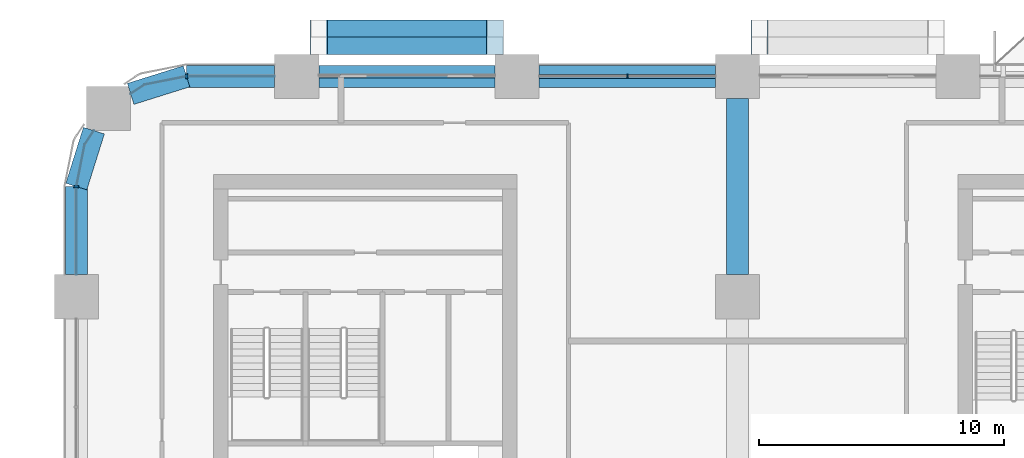
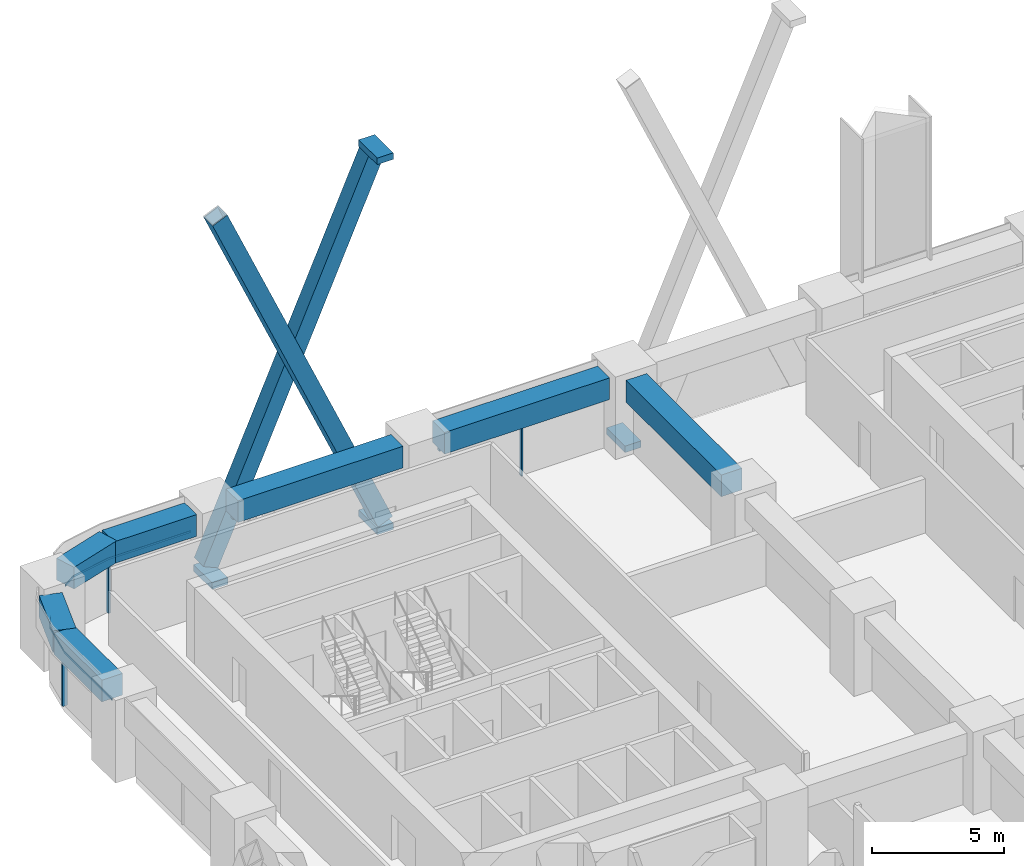
# One storey, part 8 of 24: 13 members, 7 beams, 4 elements without a shape of their own.
"""IFC4 building model written with IfcOpenShell, lengths in metres."""

from ifc_helpers import new_model, si_unit, direction, frame, origin, origin_2d, place, context, subcontext, project, spatial, polyline, rectangle, hollow_rectangle, outline, extrude, material, layer, layer_set, material_profile, profile_set, type_object, element, aggregate, save


model = new_model("IFC4")

# Units and contexts
model_context = context("Model", 3, precision=1e-05, world=origin(), true_north=direction((0.0, 1.0)))
body_context = subcontext(model_context, "Body", "Model", "MODEL_VIEW")
ifc_project = project(units=[si_unit("LENGTHUNIT", "METRE"), si_unit("AREAUNIT", "SQUARE_METRE"), si_unit("VOLUMEUNIT", "CUBIC_METRE"), si_unit("PLANEANGLEUNIT", "RADIAN"), si_unit("MASSUNIT", "GRAM", prefix="KILO")], contexts=[model_context])

# Site, building, storey
site_placement = place(None, origin())
site = spatial("IfcSite", under=ifc_project, at=site_placement, CompositionType="ELEMENT")
building_placement = place(site_placement, origin())
building = spatial("IfcBuilding", under=site, at=building_placement, Name="Tessera Arch", CompositionType="ELEMENT")
storey_placement = place(building_placement, frame((0.0, 0.0, 61.39990234375)))
storey = spatial("IfcBuildingStorey", under=building, at=storey_placement, Name="L13", CompositionType="ELEMENT", Elevation=61.39990234375)

# Members
ifc_material_1 = material(Name="Steel A572 Gr50", Category="steel")
ifc_material_profile_1 = material_profile(ifc_material_1, hollow_rectangle(XDim=0.699951171875, YDim=0.699951171875, WallThickness=0.050048828125, at=origin_2d()), Name="BOX 700x700x50")
ifc_profile_set_1 = profile_set([ifc_material_profile_1], Name="Steel A572 Gr50")
member_type_1 = type_object("IfcMemberType", Name="Brace BOX 700x700x50 Steel A572 Gr50", PredefinedType="BRACE", material=ifc_profile_set_1)
for number, where, z_axis, x_axis, name in (
    (1, (17.10009765625, 55.25, -0.7998046875), (-0.402001211434, 0.0, 0.915639135252), (0.0, -1.0, 0.0), "Brace N54.0-4 A L13-L16"),
    (2, (9.89990234375, 55.949951171875, -0.7998046875), (0.402001211434, 0.0, 0.915639135252), (0.0, 1.0, 0.0), "Brace N54.0-4 B L13-L16"),
):
    element("IfcMember", number, at=place(storey_placement, frame(where, z_axis=z_axis, x_axis=x_axis)), inside=storey, type_object=member_type_1, Name=name, PredefinedType="BRACE", context=body_context, shape_type="SweptSolid", body=[
        extrude(hollow_rectangle(XDim=0.699951171875, YDim=0.699951171875, WallThickness=0.050048828125, at=origin_2d()), origin(), (0.0, 0.0, 1.0), 17.910888671875),
    ])

# Curtain wall, members
ifc_material_2 = material(Name="CW1 curtain wall")
curtain_wall_type_1 = type_object("IfcCurtainWallType", Name="CW1 curtain wall", PredefinedType="NOTDEFINED", material=ifc_material_2)
curtain_wall_1_placement = place(storey_placement, origin())
curtain_wall_1 = element("IfcCurtainWall", 3, at=curtain_wall_1_placement, inside=storey, type_object=curtain_wall_type_1, Name="CW1 curtain wall N54.0/3 L13", PredefinedType="NOTDEFINED")
ifc_material_3 = material(Name="Anodised aluminium pale metal", Category="aluminium")
ifc_material_profile_2 = material_profile(ifc_material_3, rectangle(XDim=0.159912109375, YDim=0.06005859375, at=origin_2d()), Name="AL 60x160")
ifc_profile_set_2 = profile_set([ifc_material_profile_2], Name="Anodised aluminium pale metal")
member_type_2 = type_object("IfcMemberType", Name="CW1 mullion", PredefinedType="MULLION", material=ifc_profile_set_2)
member_1_placement = place(storey_placement, frame((22.5, 54.0, 0.0), z_axis=(0.0, 0.0, 1.0), x_axis=(0.0, -1.0, 0.0)))
member_1 = element("IfcMember", 4, at=member_1_placement, type_object=member_type_2, Name="CW1 mullion N54.0/3 1", PredefinedType="MULLION", context=body_context, shape_type="SweptSolid", body=[
    extrude(rectangle(XDim=0.159912109375, YDim=0.06005859375, at=origin_2d()), origin(), (0.0, 0.0, 1.0), 2.400146484375),
])
ifc_material_4 = material(Name="Anodised aluminium pale metal", Category="aluminium")
ifc_material_profile_3 = material_profile(ifc_material_4, rectangle(XDim=0.159912109375, YDim=0.10009765625, at=origin_2d()), Name="AL 160x100")
ifc_profile_set_3 = profile_set([ifc_material_profile_3], Name="Anodised aluminium pale metal")
member_type_3 = type_object("IfcMemberType", Name="CW1 transom", PredefinedType="USERDEFINED", material=ifc_profile_set_3)
member_2_placement = place(storey_placement, frame((26.10009765625, 54.0, 2.4501953125), z_axis=(-1.0, 0.0, 0.0), x_axis=(0.0, -1.0, 0.0)))
member_2 = element("IfcMember", 5, at=member_2_placement, type_object=member_type_3, Name="CW1 transom N54.0/3 1.1", ObjectType="TRANSOM", PredefinedType="USERDEFINED", context=body_context, shape_type="SweptSolid", body=[
    extrude(rectangle(XDim=0.159912109375, YDim=0.10009765625, at=origin_2d()), origin(), (0.0, 0.0, 1.0), 7.2001953125),
])
aggregate(curtain_wall_1, [member_1, member_2])

# Curtain wall, member
ifc_material_5 = material(Name="CW2 curtain wall")
curtain_wall_type_2 = type_object("IfcCurtainWallType", Name="CW2 curtain wall", PredefinedType="NOTDEFINED", material=ifc_material_5)
curtain_wall_2_placement = place(storey_placement, origin())
curtain_wall_2 = element("IfcCurtainWall", 6, at=curtain_wall_2_placement, inside=storey, type_object=curtain_wall_type_2, Name="CW2 curtain wall N54.0/5 L13", PredefinedType="NOTDEFINED")
ifc_material_6 = material(Name="Anodised aluminium pale metal", Category="aluminium")
ifc_material_profile_4 = material_profile(ifc_material_6, rectangle(XDim=0.199951171875, YDim=0.080078125, at=origin_2d()), Name="AL 80x200")
ifc_profile_set_4 = profile_set([ifc_material_profile_4], Name="Anodised aluminium pale metal")
member_type_4 = type_object("IfcMemberType", Name="CW2 mullion", PredefinedType="MULLION", material=ifc_profile_set_4)
member_3_placement = place(storey_placement, frame((4.5, 54.0, 0.0), z_axis=(0.0, 0.0, 1.0), x_axis=(0.0, -1.0, 0.0)))
member_3 = element("IfcMember", 7, at=member_3_placement, type_object=member_type_4, Name="CW2 mullion N54.0/5 1", PredefinedType="MULLION", context=body_context, shape_type="SweptSolid", body=[
    extrude(rectangle(XDim=0.199951171875, YDim=0.080078125, at=origin_2d()), origin(), (0.0, 0.0, 1.0), 2.400146484375),
])

curtain_wall_3_placement = place(storey_placement, origin())
curtain_wall_3 = element("IfcCurtainWall", 8, at=curtain_wall_3_placement, inside=storey, type_object=curtain_wall_type_2, Name="CW2 curtain wall W0.0/0 L13", PredefinedType="NOTDEFINED")
member_4_placement = place(storey_placement, frame((0.0, 49.5, 0.0), z_axis=(0.0, 0.0, 1.0), x_axis=(1.0, 0.0, 0.0)))
member_4 = element("IfcMember", 9, at=member_4_placement, type_object=member_type_4, Name="CW2 mullion W0.0/0 1", PredefinedType="MULLION", context=body_context, shape_type="SweptSolid", body=[
    extrude(rectangle(XDim=0.199951171875, YDim=0.080078125, at=origin_2d()), origin(), (0.0, 0.0, 1.0), 2.400146484375),
])

# Member
ifc_material_7 = material(Name="Anodised aluminium pale metal", Category="aluminium")
ifc_material_profile_5 = material_profile(ifc_material_7, rectangle(XDim=0.199951171875, YDim=0.10009765625, at=origin_2d()), Name="AL 200x100")
ifc_profile_set_5 = profile_set([ifc_material_profile_5], Name="Anodised aluminium pale metal")
member_type_5 = type_object("IfcMemberType", Name="CW2 transom", PredefinedType="USERDEFINED", material=ifc_profile_set_5)
member_5_placement = place(storey_placement, frame((0.0, 0.0, 2.400146484375)))
member_5 = element("IfcMember", 10, at=member_5_placement, type_object=member_type_5, Name="CW2 transom N54.0/5 1", ObjectType="TRANSOM", PredefinedType="USERDEFINED", context=body_context, shape_type="SweptSolid", body=[
    extrude(outline(polyline([(4.5009765625, 53.989990234375), (8.10009765625, 53.989990234375), (8.10009765625, 54.010009765625), (4.4990234375, 54.010009765625), (2.77392578125, 53.6669921875), (2.21240234375, 53.29150390625), (2.2236328125, 53.27490234375), (2.78173828125, 53.648193359375), (4.5009765625, 53.989990234375)])), origin(), (0.0, 0.0, 1.0), 0.099853515625),
])

aggregate(curtain_wall_2, [member_3, member_5])

member_6_placement = place(storey_placement, frame((0.0, 0.0, 2.400146484375)))
member_6 = element("IfcMember", 11, at=member_6_placement, type_object=member_type_5, Name="CW2 transom W0.0/0 1", ObjectType="TRANSOM", PredefinedType="USERDEFINED", context=body_context, shape_type="SweptSolid", body=[
    extrude(outline(polyline([(0.351806640625, 51.21826171875), (0.72509765625, 51.7763671875), (0.70849609375, 51.78759765625), (0.3330078125, 51.22607421875), (-0.010009765625, 49.5009765625), (-0.010009765625, 45.89990234375), (0.010009765625, 45.89990234375), (0.010009765625, 49.4990234375), (0.351806640625, 51.21826171875)])), origin(), (0.0, 0.0, 1.0), 0.099853515625),
])

aggregate(curtain_wall_3, [member_4, member_6])

# Curtain wall, member
ifc_material_8 = material(Name="CW3 curtain wall")
curtain_wall_type_3 = type_object("IfcCurtainWallType", Name="CW3 curtain wall", PredefinedType="NOTDEFINED", material=ifc_material_8)
curtain_wall_4_placement = place(storey_placement, origin())
curtain_wall_4 = element("IfcCurtainWall", 12, at=curtain_wall_4_placement, inside=storey, type_object=curtain_wall_type_3, Name="CW3 curtain wall N54.0/4 L13", PredefinedType="NOTDEFINED")
ifc_material_9 = material(Name="Anodised aluminium pale metal", Category="aluminium")
ifc_material_profile_6 = material_profile(ifc_material_9, rectangle(XDim=0.139892578125, YDim=0.10009765625, at=origin_2d()), Name="AL 140x100")
ifc_profile_set_6 = profile_set([ifc_material_profile_6], Name="Anodised aluminium pale metal")
member_type_6 = type_object("IfcMemberType", Name="CW3 transom", PredefinedType="USERDEFINED", material=ifc_profile_set_6)
member_7_placement = place(storey_placement, frame((17.10009765625, 54.0, 2.4501953125), z_axis=(-1.0, 0.0, 0.0), x_axis=(0.0, -1.0, 0.0)))
member_7 = element("IfcMember", 13, at=member_7_placement, type_object=member_type_6, Name="CW3 transom N54.0/4 1.1", ObjectType="TRANSOM", PredefinedType="USERDEFINED", context=body_context, shape_type="SweptSolid", body=[
    extrude(rectangle(XDim=0.139892578125, YDim=0.10009765625, at=origin_2d()), origin(), (0.0, 0.0, 1.0), 7.2001953125),
])
aggregate(curtain_wall_4, [member_7])

# Members
ifc_material_10 = material(Name="Steel A572 Gr50", Category="steel")
ifc_layer = layer(ifc_material_10, 0.050048828125)
ifc_layer_set = layer_set([ifc_layer], Name="Node block Steel A572 Gr50")
member_type_7 = type_object("IfcMemberType", Name="Node block Steel A572 Gr50", PredefinedType="PLATE", material=ifc_layer_set)
for number, where, z_axis, x_axis, name in (
    (14, (27.89990234375, 55.60009765625, -1.27734375), (0.0, 0.0, 1.0), (-1.0, 0.0, 0.0), "Node block seat N54.0-2 1 L13"),
    (15, (9.89990234375, 55.60009765625, -1.27734375), (0.0, 0.0, 1.0), (-1.0, 0.0, 0.0), "Node block seat N54.0-4 1 L13"),
    (16, (17.10009765625, 55.60009765625, -1.27734375), (0.0, 0.0, 1.0), (-1.0, 0.0, 0.0), "Node block seat N54.0-4 2 L13"),
    (17, (17.10009765625, 55.60009765625, 15.77734375), (0.0, 0.0, 1.0), (-1.0, 0.0, 0.0), "Node block head N54.0-4 B L13"),
):
    element("IfcMember", number, at=place(storey_placement, frame(where, z_axis=z_axis, x_axis=x_axis)), inside=storey, type_object=member_type_7, Name=name, PredefinedType="PLATE", context=body_context, shape_type="SweptSolid", body=[
        extrude(rectangle(XDim=0.699951171875, YDim=1.39990234375, at=origin_2d()), origin(), (0.0, 0.0, 1.0), 0.300048828125),
    ])

# Beams
ifc_material_11 = material(Name="Concrete C80/95", Category="concrete")
ifc_material_profile_7 = material_profile(ifc_material_11, rectangle(XDim=0.89990234375, YDim=1.0, at=origin_2d()), Name="RC spandrel beam 900 x 1000 Concrete C80/95")
ifc_profile_set_7 = profile_set([ifc_material_profile_7], Name="Concrete C80/95")
beam_type = type_object("IfcBeamType", Name="RC spandrel beam 900 x 1000 Concrete C80/95", PredefinedType="BEAM", material=ifc_profile_set_7)
for number, where, z_axis, x_axis, name in (
    (18, (26.10009765625, 54.0, 3.0), (-1.0, 0.0, 0.0), (0.0, -1.0, 0.0), "Spandrel beam L13 N54.0/3"),
    (19, (17.10009765625, 54.0, 3.0), (-1.0, 0.0, 0.0), (0.0, -1.0, 0.0), "Spandrel beam L13 N54.0/4"),
):
    element("IfcBeam", number, at=place(storey_placement, frame(where, z_axis=z_axis, x_axis=x_axis)), inside=storey, type_object=beam_type, Name=name, PredefinedType="BEAM", context=body_context, shape_type="SweptSolid", body=[
        extrude(rectangle(XDim=0.89990234375, YDim=1.0, at=origin_2d()), origin(), (0.0, 0.0, 1.0), 7.2001953125),
    ])
beam_1_placement = place(storey_placement, frame((8.10009765625, 54.0, 3.0), z_axis=(-1.0, 0.0, 0.0), x_axis=(0.0, -1.0, 0.0)))
element("IfcBeam", 20, at=beam_1_placement, inside=storey, type_object=beam_type, Name="Spandrel beam L13 N54.0/5.1", PredefinedType="BEAM", context=body_context, shape_type="SweptSolid", body=[
    extrude(rectangle(XDim=0.89990234375, YDim=1.0, at=origin_2d()), origin(), (0.0, 0.0, 1.0), 3.60009765625),
])
for number, where, z_axis, x_axis, name in (
    (21, (4.5, 54.0, 3.0), (-0.954041251279, -0.299675309057, 0.0), (0.299675309057, -0.954041251279, 0.0), "Spandrel beam L13 N54.0/5.2"),
    (22, (0.716796875, 51.781982421875, 3.0), (-0.299675309057, -0.954041251279, 0.0), (0.954041251279, -0.299675309057, 0.0), "Spandrel beam L13 W0.0/0.1"),
):
    element("IfcBeam", number, at=place(storey_placement, frame(where, z_axis=z_axis, x_axis=x_axis)), inside=storey, type_object=beam_type, Name=name, PredefinedType="BEAM", context=body_context, shape_type="SweptSolid", body=[
        extrude(rectangle(XDim=0.89990234375, YDim=1.0, at=origin_2d()), origin(), (0.0, 0.0, 1.0), 2.391845703125),
    ])
beam_2_placement = place(storey_placement, frame((0.0, 49.5, 3.0), z_axis=(0.0, -1.0, 0.0), x_axis=(1.0, 0.0, 0.0)))
element("IfcBeam", 23, at=beam_2_placement, inside=storey, type_object=beam_type, Name="Spandrel beam L13 W0.0/0.2", PredefinedType="BEAM", context=body_context, shape_type="SweptSolid", body=[
    extrude(rectangle(XDim=0.89990234375, YDim=1.0, at=origin_2d()), origin(), (0.0, 0.0, 1.0), 3.60009765625),
])
beam_3_placement = place(storey_placement, frame((27.0, 45.89990234375, 3.0), z_axis=(0.0, 1.0, 0.0), x_axis=(-1.0, 0.0, 0.0)))
element("IfcBeam", 24, at=beam_3_placement, inside=storey, type_object=beam_type, Name="Interface beam L13 I0C4F-C4G", PredefinedType="BEAM", context=body_context, shape_type="SweptSolid", body=[
    extrude(rectangle(XDim=0.89990234375, YDim=1.0, at=origin_2d()), origin(), (0.0, 0.0, 1.0), 7.2001953125),
])

save(model, "model.ifc")
